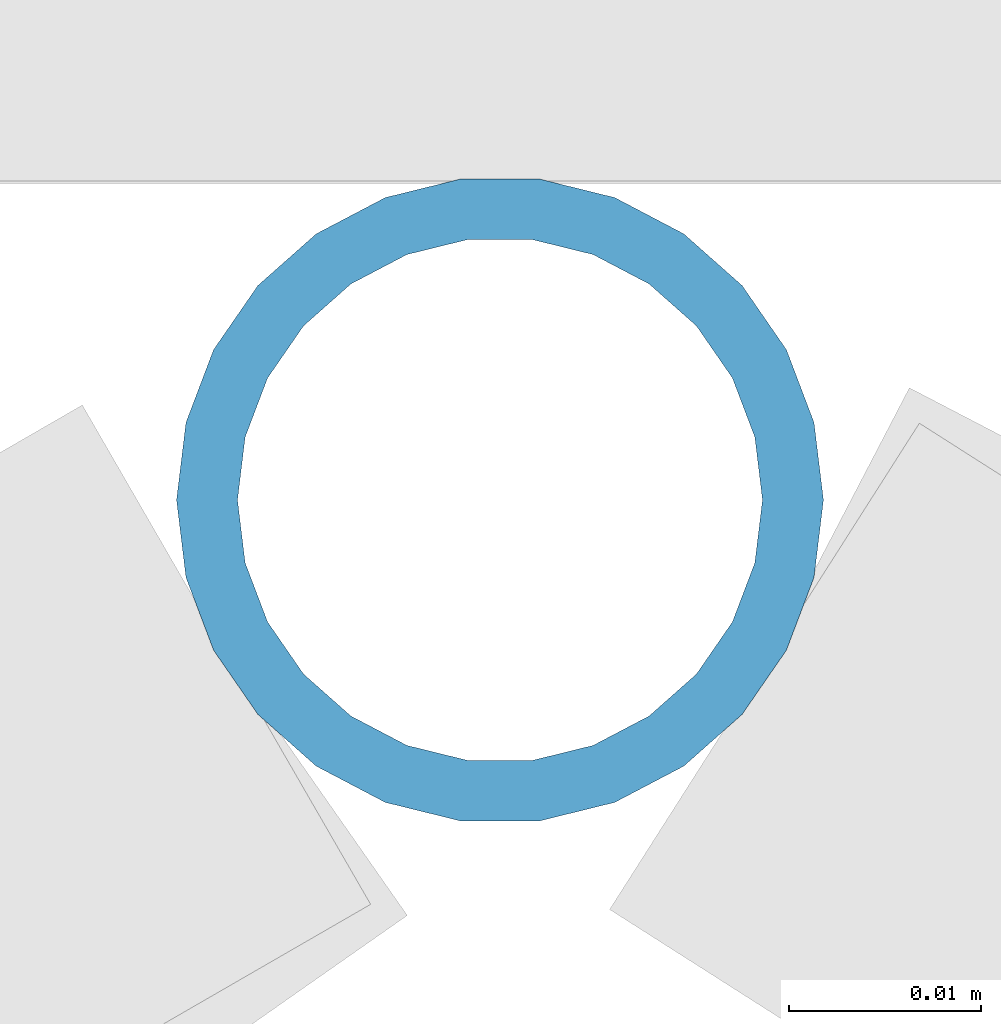
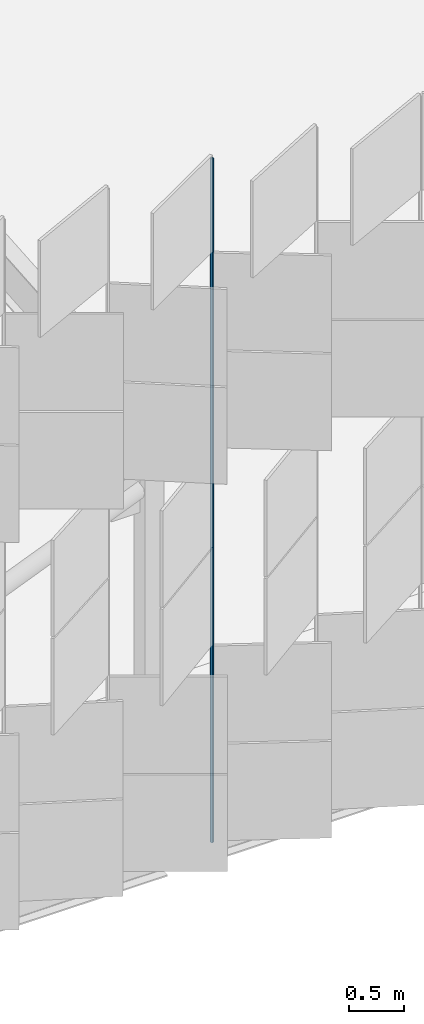
# One storey, part 230 of 483: 1 discrete accessory.
"""IFC4 building model written with IfcOpenShell, lengths in metres."""

from ifc_helpers import new_model, si_unit, direction, frame, origin, origin_2d, place, context, subcontext, project, spatial, hollow_circle, extrude, material, material_profile, profile_set, type_object, element, save


model = new_model("IFC4")

# Units and contexts
model_context = context("Model", 3, precision=1e-05, world=origin(), true_north=direction((0.0, 1.0)))
body_context = subcontext(model_context, "Body", "Model", "MODEL_VIEW")
ifc_project = project(units=[si_unit("LENGTHUNIT", "METRE"), si_unit("AREAUNIT", "SQUARE_METRE"), si_unit("VOLUMEUNIT", "CUBIC_METRE"), si_unit("PLANEANGLEUNIT", "RADIAN"), si_unit("MASSUNIT", "GRAM", prefix="KILO")], contexts=[model_context])

# Site, building, storey
site_placement = place(None, origin())
site = spatial("IfcSite", under=ifc_project, at=site_placement, CompositionType="ELEMENT")
building_placement = place(site_placement, origin())
building = spatial("IfcBuilding", under=site, at=building_placement, Name="Parallax Yard Mobility Hub", CompositionType="ELEMENT")
storey_placement = place(building_placement, frame((0.0, 0.0, 13.199951171875)))
storey = spatial("IfcBuildingStorey", under=building, at=storey_placement, Name="L04", CompositionType="ELEMENT", Elevation=13.199951171875)

# Discrete accessory
ifc_material = material(Name="Steel ASTM A500 Gr C, hot-dip galvanised", Category="steel")
ifc_material_profile = material_profile(ifc_material, hollow_circle(Radius=0.016845703125, WallThickness=0.003173828125, at=origin_2d()), Name="CHS 33.7x3.2")
ifc_profile_set = profile_set([ifc_material_profile], Name="Steel ASTM A500 Gr C, hot-dip galvanised")
discrete_accessory_type = type_object("IfcDiscreteAccessoryType", Name="Hinge post CHS 33.7x3.2", PredefinedType="BRACKET", material=ifc_profile_set)
discrete_accessory_placement = place(storey_placement, frame((164.99462890625, 111.83740234375, 0.0), z_axis=(0.0, 0.0, 1.0), x_axis=(1.0, 0.0, 0.0)))
element("IfcDiscreteAccessory", 1, at=discrete_accessory_placement, inside=storey, type_object=discrete_accessory_type, Name="Hinge post bay 17.1 level L04", PredefinedType="BRACKET", context=body_context, shape_type="SweptSolid", body=[
    extrude(hollow_circle(Radius=0.016845703125, WallThickness=0.003173828125, at=origin_2d()), origin(), (0.0, 0.0, 1.0), 7.650146484375),
])

save(model, "model.ifc")
